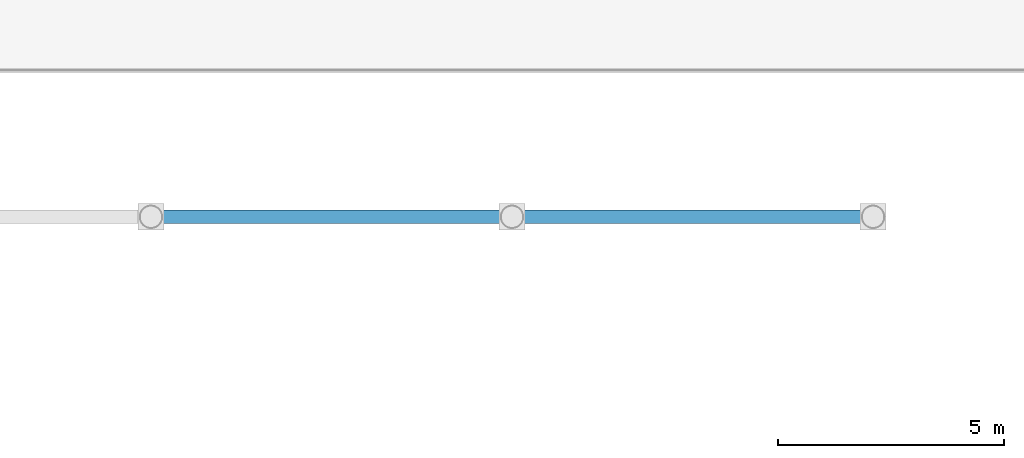
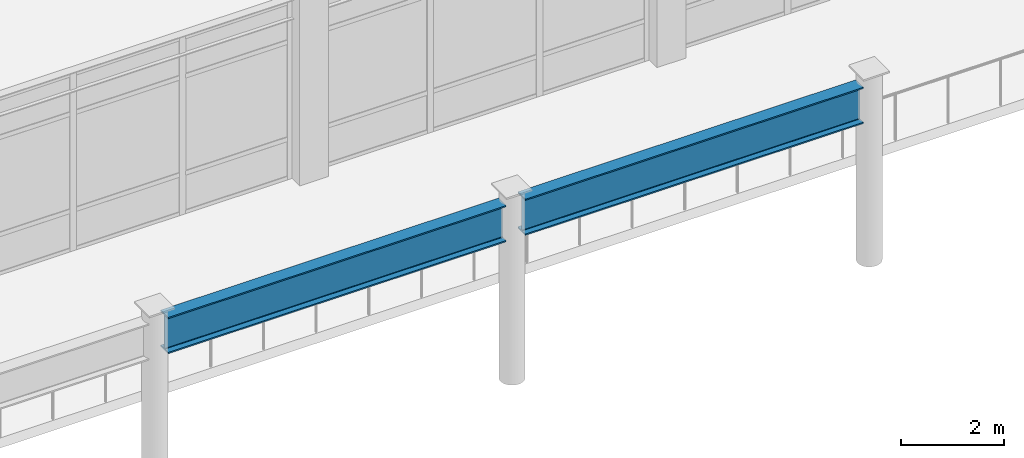
# One storey, part 37 of 78: 2 beams.
"""IFC4 building model written with IfcOpenShell, lengths in metres."""

from ifc_helpers import new_model, si_unit, direction, frame, origin, origin_2d, place, context, subcontext, project, spatial, i_section, extrude, material, material_profile, profile_set, type_object, element, save


model = new_model("IFC4")

# Units and contexts
model_context = context("Model", 3, precision=1e-05, world=origin(), true_north=direction((0.0, 1.0)))
body_context = subcontext(model_context, "Body", "Model", "MODEL_VIEW")
ifc_project = project(units=[si_unit("LENGTHUNIT", "METRE"), si_unit("AREAUNIT", "SQUARE_METRE"), si_unit("VOLUMEUNIT", "CUBIC_METRE"), si_unit("PLANEANGLEUNIT", "RADIAN"), si_unit("MASSUNIT", "GRAM", prefix="KILO")], contexts=[model_context])

# Site, building, storey
site_placement = place(None, origin())
site = spatial("IfcSite", under=ifc_project, at=site_placement, CompositionType="ELEMENT")
building_placement = place(site_placement, origin())
building = spatial("IfcBuilding", under=site, at=building_placement, Name="Solmirada Galleria", CompositionType="ELEMENT")
storey_placement = place(building_placement, frame((0.0, 0.0, 23.89990234375)))
storey = spatial("IfcBuildingStorey", under=building, at=storey_placement, Name="L05", CompositionType="ELEMENT", Elevation=23.89990234375)

# Beams
ifc_material = material(Name="Steel S355 / ASTM A992 Grade 50", Category="steel")
ifc_material_profile = material_profile(ifc_material, i_section(OverallWidth=0.2919921875, OverallDepth=0.85888671875, WebThickness=0.01708984375, FlangeThickness=0.031005859375, FilletRadius=0.02001953125, at=origin_2d()), Name="W33X169")
ifc_profile_set = profile_set([ifc_material_profile], Name="Steel S355 / ASTM A992 Grade 50")
beam_type = type_object("IfcBeamType", Name="BM-VAULT-RING2", PredefinedType="BEAM", material=ifc_profile_set)
for number, where, z_axis, x_axis, name in (
    (1, (64.21337890625, 88.0, 3.810546875), (1.0, 0.0, 0.0), (0.0, 1.0, 0.0), "Barrel vault springing collector girder N X=64..72"),
    (2, (72.21337890625, 88.0, 3.810546875), (1.0, 0.0, 0.0), (0.0, 1.0, 0.0), "Barrel vault springing collector girder N X=72..80"),
):
    element("IfcBeam", number, at=place(storey_placement, frame(where, z_axis=z_axis, x_axis=x_axis)), inside=storey, type_object=beam_type, Name=name, PredefinedType="BEAM", context=body_context, shape_type="SweptSolid", body=[
        extrude(i_section(OverallWidth=0.2919921875, OverallDepth=0.85888671875, WebThickness=0.01708984375, FlangeThickness=0.031005859375, FilletRadius=0.02001953125, at=origin_2d()), origin(), (0.0, 0.0, 1.0), 7.5732421875),
    ])

save(model, "model.ifc")
